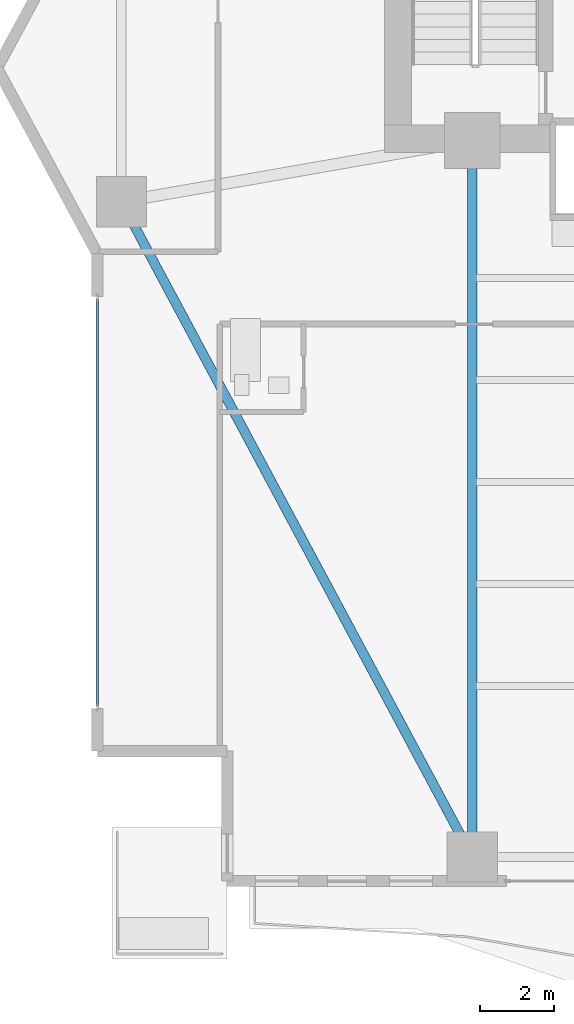
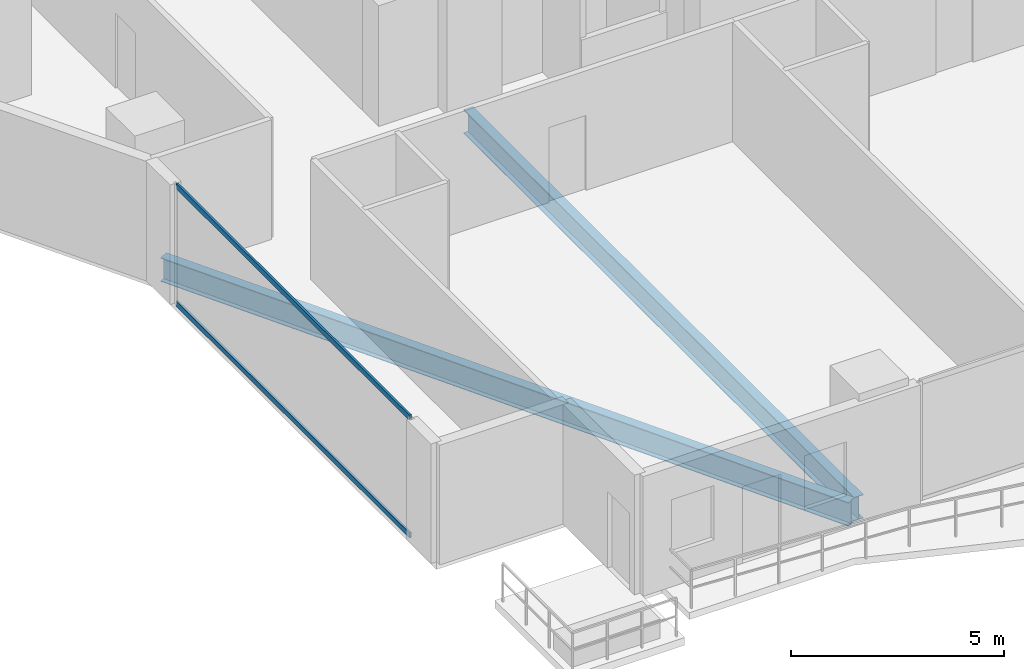
# One storey, part 3 of 27: 2 beams, 2 members, 1 element without a shape of its own.
"""IFC4 building model written with IfcOpenShell, lengths in metres."""

from ifc_helpers import new_model, si_unit, direction, frame, origin, origin_2d, place, context, subcontext, project, spatial, hollow_rectangle, i_section, extrude, material, layer, layer_set, material_profile, profile_set, type_object, element, aggregate, save


model = new_model("IFC4")

# Units and contexts
model_context = context("Model", 3, precision=1e-05, world=origin(), true_north=direction((0.0, 1.0)))
body_context = subcontext(model_context, "Body", "Model", "MODEL_VIEW")
ifc_project = project(units=[si_unit("LENGTHUNIT", "METRE"), si_unit("AREAUNIT", "SQUARE_METRE"), si_unit("VOLUMEUNIT", "CUBIC_METRE"), si_unit("PLANEANGLEUNIT", "RADIAN"), si_unit("MASSUNIT", "GRAM", prefix="KILO")], contexts=[model_context])

# Site, building, storey
site_placement = place(None, origin())
site = spatial("IfcSite", under=ifc_project, at=site_placement, CompositionType="ELEMENT")
building_placement = place(site_placement, origin())
building = spatial("IfcBuilding", under=site, at=building_placement, Name="Zuhayl Quay Hotel", CompositionType="ELEMENT")
storey_placement = place(building_placement, frame((0.0, 0.0, 117.550048828125)))
storey = spatial("IfcBuildingStorey", under=building, at=storey_placement, Name="L29", CompositionType="ELEMENT", Elevation=117.550048828125)

# Beams
ifc_material_1 = material(Name="Steel ASTM A992 Grade 50", Category="steel")
ifc_material_profile_1 = material_profile(ifc_material_1, i_section(OverallWidth=0.25390625, OverallDepth=0.68310546875, WebThickness=0.012451171875, FlangeThickness=0.018798828125, at=origin_2d()), Name="W27X94")
ifc_profile_set_1 = profile_set([ifc_material_profile_1], Name="Steel ASTM A992 Grade 50")
beam_type = type_object("IfcBeamType", Name="BM_B2_W27X94", PredefinedType="BEAM", material=ifc_profile_set_1)
beam_1_placement = place(storey_placement, frame((-23.013916015625, 2.459228515625, -0.5615234375), z_axis=(0.472017301959, -0.88158928456, 0.0), x_axis=(0.88158928456, 0.472017301959, 0.0)))
element("IfcBeam", 1, at=beam_1_placement, inside=storey, type_object=beam_type, Name="L29 Floor Beam RG_L29_12", PredefinedType="BEAM", context=body_context, shape_type="SweptSolid", body=[
    extrude(i_section(OverallWidth=0.25390625, OverallDepth=0.68310546875, WebThickness=0.012451171875, FlangeThickness=0.018798828125, at=origin_2d()), origin(), (0.0, 0.0, 1.0), 19.0205078125),
])
beam_2_placement = place(storey_placement, frame((-13.800048828125, -14.25, -0.5615234375), z_axis=(0.0, 1.0, 0.0), x_axis=(-1.0, 0.0, 0.0)))
element("IfcBeam", 2, at=beam_2_placement, inside=storey, type_object=beam_type, Name="L29 Floor Beam FG_S_L29_1", PredefinedType="BEAM", context=body_context, shape_type="SweptSolid", body=[
    extrude(i_section(OverallWidth=0.25390625, OverallDepth=0.68310546875, WebThickness=0.012451171875, FlangeThickness=0.018798828125, at=origin_2d()), origin(), (0.0, 0.0, 1.0), 18.35009765625),
])

# Curtain wall, members
ifc_material_2 = material(Name="Anodised Aluminium 6063-T6", Category="aluminium")
ifc_layer = layer(ifc_material_2, 0.179931640625, Name="Anodised Aluminium 6063-T6", Category="aluminium")
ifc_layer_set = layer_set([ifc_layer], Name="Anodised Aluminium 6063-T6")
curtain_wall_type = type_object("IfcCurtainWallType", Name="CW_SYS_Z2", PredefinedType="USERDEFINED", material=ifc_layer_set)
curtain_wall_placement = place(storey_placement, origin())
curtain_wall = element("IfcCurtainWall", 3, at=curtain_wall_placement, inside=storey, type_object=curtain_wall_type, Name="L29 Curtain Wall ENV_L29_E02_CW1", ObjectType="UNITISED CURTAIN WALL", PredefinedType="USERDEFINED")
ifc_material_3 = material(Name="Black-anodised aluminium 6063-T6", Category="aluminium")
ifc_material_profile_2 = material_profile(ifc_material_3, hollow_rectangle(XDim=0.06005859375, YDim=0.14990234375, WallThickness=0.00341796875, at=origin_2d()), Name="ALU150X60")
ifc_profile_set_2 = profile_set([ifc_material_profile_2], Name="Black-anodised aluminium 6063-T6")
member_type = type_object("IfcMemberType", Name="MB_CW_TRN_150", PredefinedType="USERDEFINED", material=ifc_profile_set_2)
member_1_placement = place(storey_placement, frame((-23.89990234375, -10.68505859375, 0.030029296875), z_axis=(0.0, 1.0, 0.0), x_axis=(-1.0, 0.0, 0.0)))
member_1 = element("IfcMember", 4, at=member_1_placement, type_object=member_type, Name="CW-Z2 transom 1.1", ObjectType="TRANSOM", PredefinedType="USERDEFINED", context=body_context, shape_type="SweptSolid", body=[
    extrude(hollow_rectangle(XDim=0.06005859375, YDim=0.14990234375, WallThickness=0.00341796875, at=origin_2d()), origin(), (0.0, 0.0, 1.0), 10.969970703125),
])
member_2_placement = place(storey_placement, frame((-23.89990234375, -10.68505859375, 3.39990234375), z_axis=(0.0, 1.0, 0.0), x_axis=(-1.0, 0.0, 0.0)))
member_2 = element("IfcMember", 5, at=member_2_placement, type_object=member_type, Name="CW-Z2 transom 1.2", ObjectType="TRANSOM", PredefinedType="USERDEFINED", context=body_context, shape_type="SweptSolid", body=[
    extrude(hollow_rectangle(XDim=0.06005859375, YDim=0.14990234375, WallThickness=0.00341796875, at=origin_2d()), origin(), (0.0, 0.0, 1.0), 10.969970703125),
])
aggregate(curtain_wall, [member_1, member_2])

save(model, "model.ifc")
